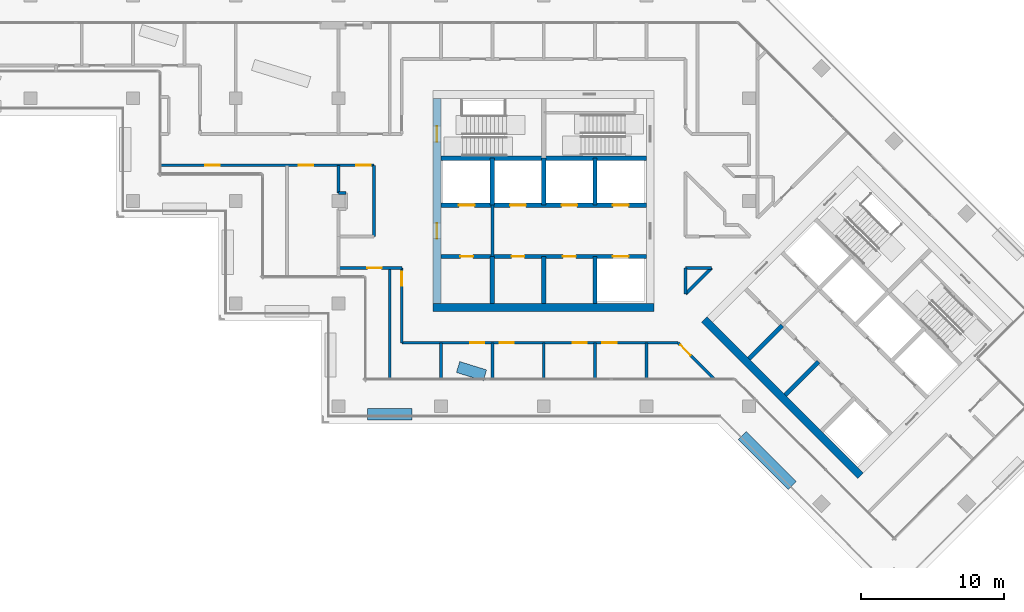
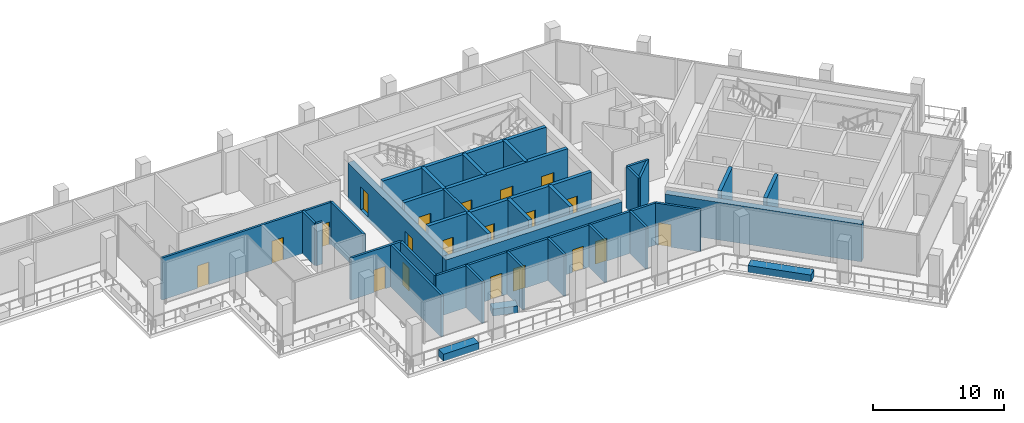
# One storey, part 9 of 19: 36 walls, 20 doors, 20 openings.
"""IFC4 building model written with IfcOpenShell, lengths in metres."""

from ifc_helpers import new_model, si_unit, direction, frame, frame_2d, origin, place, context, subcontext, project, spatial, rectangle, extrude, material, layer, layer_set, type_object, element, fill, save


model = new_model("IFC4")

# Units and contexts
model_context = context("Model", 3, precision=1e-05, world=origin(), true_north=direction((0.0, 1.0)))
body_context = subcontext(model_context, "Body", "Model", "MODEL_VIEW")
ifc_project = project(units=[si_unit("LENGTHUNIT", "METRE"), si_unit("AREAUNIT", "SQUARE_METRE"), si_unit("VOLUMEUNIT", "CUBIC_METRE"), si_unit("PLANEANGLEUNIT", "RADIAN"), si_unit("MASSUNIT", "GRAM", prefix="KILO")], contexts=[model_context])

# Site, building, storey
site_placement = place(None, origin())
site = spatial("IfcSite", under=ifc_project, at=site_placement, CompositionType="ELEMENT")
building_placement = place(site_placement, origin())
building = spatial("IfcBuilding", under=site, at=building_placement, Name="Windrow Commons", CompositionType="ELEMENT")
storey_placement = place(building_placement, frame((0.0, 0.0, 185.4)))
storey = spatial("IfcBuildingStorey", under=building, at=storey_placement, Name="L50", CompositionType="ELEMENT", Elevation=185.4)

# Wall
ifc_material_1 = material(Name="Blockwork partition", Category="masonry")
ifc_layer_1 = layer(ifc_material_1, 0.2)
ifc_layer_set_1 = layer_set([ifc_layer_1], Name="Fire lobby partition 200")
wall_type_1 = type_object("IfcWallType", Name="Fire lobby partition 200", PredefinedType="PARTITIONING", material=ifc_layer_set_1)
wall_1_placement = place(storey_placement, frame((61.2, 53.7, 0.0), z_axis=(0.0, 0.0, 1.0), x_axis=(0.0, 1.0, 0.0)))
element("IfcWall", 1, at=wall_1_placement, inside=storey, type_object=wall_type_1, Name="W-core-lobby-A-L50", PredefinedType="PARTITIONING", context=body_context, shape_type="SweptSolid", body=[
    extrude(rectangle(XDim=3.6, YDim=0.2, at=frame_2d((1.8, 0.0))), origin(), (0.0, 0.0, 1.0), 3.9),
])

# Wall, openings, doors
ifc_material_2 = material(Name="Blockwork partition", Category="masonry")
ifc_layer_2 = layer(ifc_material_2, 0.2)
ifc_layer_set_2 = layer_set([ifc_layer_2], Name="IW-CORRIDOR-200")
wall_type_2 = type_object("IfcWallType", Name="IW-CORRIDOR-200", PredefinedType="PARTITIONING", material=ifc_layer_set_2)
wall_2_placement = place(storey_placement, frame((54.85, 47.65, 0.0), z_axis=(0.0, 0.0, 1.0), x_axis=(1.0, 0.0, 0.0)))
wall_2 = element("IfcWall", 2, at=wall_2_placement, inside=storey, type_object=wall_type_2, Name="W-L50-W001", PredefinedType="PARTITIONING", context=body_context, shape_type="SweptSolid", body=[
    extrude(rectangle(XDim=19.354, YDim=0.2, at=frame_2d((9.677, 0.0))), origin(), (0.0, 0.0, 1.0), 3.9),
])
opening_1_placement = place(wall_2_placement, frame((4.7825, 0.0, 0.0)))
opening_1 = element("IfcOpeningElement", 3, at=opening_1_placement, cuts=wall_2, Name="Opening D310F", PredefinedType="OPENING", context=body_context, shape_type="SweptSolid", body=[
    extrude(rectangle(XDim=1.0, YDim=2.1, at=frame_2d((0.5, 1.05))), frame((0.0, 0.11, 0.0), z_axis=(0.0, -1.0, 0.0), x_axis=(1.0, 0.0, 0.0)), (0.0, 0.0, 1.0), 0.22),
])
opening_2_placement = place(wall_2_placement, frame((6.8575, 0.0, 0.0)))
opening_2 = element("IfcOpeningElement", 4, at=opening_2_placement, cuts=wall_2, Name="Opening D310F", PredefinedType="OPENING", context=body_context, shape_type="SweptSolid", body=[
    extrude(rectangle(XDim=1.0, YDim=2.1, at=frame_2d((0.5, 1.05))), frame((0.0, 0.11, 0.0), z_axis=(0.0, -1.0, 0.0), x_axis=(1.0, 0.0, 0.0)), (0.0, 0.0, 1.0), 0.22),
])
opening_3_placement = place(wall_2_placement, frame((11.9825, 0.0, 0.0)))
opening_3 = element("IfcOpeningElement", 5, at=opening_3_placement, cuts=wall_2, Name="Opening D310F", PredefinedType="OPENING", context=body_context, shape_type="SweptSolid", body=[
    extrude(rectangle(XDim=1.0, YDim=2.1, at=frame_2d((0.5, 1.05))), frame((0.0, 0.11, 0.0), z_axis=(0.0, -1.0, 0.0), x_axis=(1.0, 0.0, 0.0)), (0.0, 0.0, 1.0), 0.22),
])
opening_4_placement = place(wall_2_placement, frame((14.0575, 0.0, 0.0)))
opening_4 = element("IfcOpeningElement", 6, at=opening_4_placement, cuts=wall_2, Name="Opening D310F", PredefinedType="OPENING", context=body_context, shape_type="SweptSolid", body=[
    extrude(rectangle(XDim=1.0, YDim=2.1, at=frame_2d((0.5, 1.05))), frame((0.0, 0.11, 0.0), z_axis=(0.0, -1.0, 0.0), x_axis=(1.0, 0.0, 0.0)), (0.0, 0.0, 1.0), 0.22),
])
ifc_material_3 = material(Name="Timber door leaf", Category="wood")
door_type_1 = type_object("IfcDoorType", Name="DT-AMENITY-1000", OperationType="SINGLE_SWING_LEFT", PredefinedType="DOOR", material=ifc_material_3)
door_1_placement = place(opening_1_placement, origin())
door_1 = element("IfcDoor", 7, at=door_1_placement, inside=storey, type_object=door_type_1, Name="D-L50-D005", OperationType="SINGLE_SWING_LEFT", OverallHeight=2.1, OverallWidth=1.0, PredefinedType="DOOR", context=body_context, shape_type="SweptSolid", body=[
    extrude(rectangle(XDim=1.0, YDim=2.1, at=frame_2d((0.5, 1.05))), frame((0.0, 0.025, 0.0), z_axis=(0.0, -1.0, 0.0), x_axis=(1.0, 0.0, 0.0)), (0.0, 0.0, 1.0), 0.05),
])
fill(opening_1, door_1)
door_2_placement = place(opening_2_placement, origin())
door_2 = element("IfcDoor", 8, at=door_2_placement, inside=storey, type_object=door_type_1, Name="D-L50-D006", OperationType="SINGLE_SWING_RIGHT", OverallHeight=2.1, OverallWidth=1.0, PredefinedType="DOOR", context=body_context, shape_type="SweptSolid", body=[
    extrude(rectangle(XDim=1.0, YDim=2.1, at=frame_2d((0.5, 1.05))), frame((0.0, 0.025, 0.0), z_axis=(0.0, -1.0, 0.0), x_axis=(1.0, 0.0, 0.0)), (0.0, 0.0, 1.0), 0.05),
])
fill(opening_2, door_2)
door_3_placement = place(opening_3_placement, origin())
door_3 = element("IfcDoor", 9, at=door_3_placement, inside=storey, type_object=door_type_1, Name="D-L50-D007", OperationType="SINGLE_SWING_LEFT", OverallHeight=2.1, OverallWidth=1.0, PredefinedType="DOOR", context=body_context, shape_type="SweptSolid", body=[
    extrude(rectangle(XDim=1.0, YDim=2.1, at=frame_2d((0.5, 1.05))), frame((0.0, 0.025, 0.0), z_axis=(0.0, -1.0, 0.0), x_axis=(1.0, 0.0, 0.0)), (0.0, 0.0, 1.0), 0.05),
])
fill(opening_3, door_3)
door_4_placement = place(opening_4_placement, origin())
door_4 = element("IfcDoor", 10, at=door_4_placement, inside=storey, type_object=door_type_1, Name="D-L50-D008", OperationType="SINGLE_SWING_RIGHT", OverallHeight=2.1, OverallWidth=1.0, PredefinedType="DOOR", context=body_context, shape_type="SweptSolid", body=[
    extrude(rectangle(XDim=1.0, YDim=2.1, at=frame_2d((0.5, 1.05))), frame((0.0, 0.025, 0.0), z_axis=(0.0, -1.0, 0.0), x_axis=(1.0, 0.0, 0.0)), (0.0, 0.0, 1.0), 0.05),
])
fill(opening_4, door_4)

wall_3_placement = place(storey_placement, frame((37.93, 60.1, 0.0), z_axis=(0.0, 0.0, 1.0), x_axis=(1.0, 0.0, 0.0)))
wall_3 = element("IfcWall", 11, at=wall_3_placement, inside=storey, type_object=wall_type_2, Name="W-L50-W002", PredefinedType="PARTITIONING", context=body_context, shape_type="SweptSolid", body=[
    extrude(rectangle(XDim=14.97, YDim=0.2, at=frame_2d((7.485, 0.0))), origin(), (0.0, 0.0, 1.0), 3.9),
])
opening_5_placement = place(wall_3_placement, frame((3.1392, 0.0, 0.0)))
opening_5 = element("IfcOpeningElement", 12, at=opening_5_placement, cuts=wall_3, Name="Opening D310F", PredefinedType="OPENING", context=body_context, shape_type="SweptSolid", body=[
    extrude(rectangle(XDim=1.0, YDim=2.1, at=frame_2d((0.5, 1.05))), frame((0.0, 0.11, 0.0), z_axis=(0.0, -1.0, 0.0), x_axis=(1.0, 0.0, 0.0)), (0.0, 0.0, 1.0), 0.22),
])
opening_6_placement = place(wall_3_placement, frame((9.705, 0.0, 0.0)))
opening_6 = element("IfcOpeningElement", 13, at=opening_6_placement, cuts=wall_3, Name="Opening D310F", PredefinedType="OPENING", context=body_context, shape_type="SweptSolid", body=[
    extrude(rectangle(XDim=1.0, YDim=2.1, at=frame_2d((0.5, 1.05))), frame((0.0, 0.11, 0.0), z_axis=(0.0, -1.0, 0.0), x_axis=(1.0, 0.0, 0.0)), (0.0, 0.0, 1.0), 0.22),
])
opening_7_placement = place(wall_3_placement, frame((13.7244, 0.0, 0.0)))
opening_7 = element("IfcOpeningElement", 14, at=opening_7_placement, cuts=wall_3, Name="Opening D410F", PredefinedType="OPENING", context=body_context, shape_type="SweptSolid", body=[
    extrude(rectangle(XDim=1.0, YDim=2.1, at=frame_2d((0.5, 1.05))), frame((0.0, 0.11, 0.0), z_axis=(0.0, -1.0, 0.0), x_axis=(1.0, 0.0, 0.0)), (0.0, 0.0, 1.0), 0.22),
])
door_5_placement = place(opening_5_placement, origin())
door_5 = element("IfcDoor", 15, at=door_5_placement, inside=storey, type_object=door_type_1, Name="D-L50-D000", OperationType="SINGLE_SWING_RIGHT", OverallHeight=2.1, OverallWidth=1.0, PredefinedType="DOOR", context=body_context, shape_type="SweptSolid", body=[
    extrude(rectangle(XDim=1.0, YDim=2.1, at=frame_2d((0.5, 1.05))), frame((0.0, 0.025, 0.0), z_axis=(0.0, -1.0, 0.0), x_axis=(1.0, 0.0, 0.0)), (0.0, 0.0, 1.0), 0.05),
])
fill(opening_5, door_5)
door_6_placement = place(opening_6_placement, origin())
door_6 = element("IfcDoor", 16, at=door_6_placement, inside=storey, type_object=door_type_1, Name="D-L50-D001", OperationType="SINGLE_SWING_RIGHT", OverallHeight=2.1, OverallWidth=1.0, PredefinedType="DOOR", context=body_context, shape_type="SweptSolid", body=[
    extrude(rectangle(XDim=1.0, YDim=2.1, at=frame_2d((0.5, 1.05))), frame((0.0, 0.025, 0.0), z_axis=(0.0, -1.0, 0.0), x_axis=(1.0, 0.0, 0.0)), (0.0, 0.0, 1.0), 0.05),
])
fill(opening_6, door_6)
ifc_material_4 = material(Name="Timber door leaf", Category="wood")
door_type_2 = type_object("IfcDoorType", Name="DT-SERVICE-1000", OperationType="SINGLE_SWING_LEFT", PredefinedType="DOOR", material=ifc_material_4)
door_7_placement = place(opening_7_placement, origin())
door_7 = element("IfcDoor", 17, at=door_7_placement, inside=storey, type_object=door_type_2, Name="D-L50-D002", OperationType="SINGLE_SWING_LEFT", OverallHeight=2.1, OverallWidth=1.0, PredefinedType="DOOR", context=body_context, shape_type="SweptSolid", body=[
    extrude(rectangle(XDim=1.0, YDim=2.1, at=frame_2d((0.5, 1.05))), frame((0.0, 0.025, 0.0), z_axis=(0.0, -1.0, 0.0), x_axis=(1.0, 0.0, 0.0)), (0.0, 0.0, 1.0), 0.05),
])
fill(opening_7, door_7)

# Wall, opening, door
wall_4_placement = place(storey_placement, frame((54.85, 47.65, 0.0), z_axis=(0.0, 0.0, 1.0), x_axis=(0.0, 1.0, 0.0)))
wall_4 = element("IfcWall", 18, at=wall_4_placement, inside=storey, type_object=wall_type_2, Name="W-L50-W013", PredefinedType="PARTITIONING", context=body_context, shape_type="SweptSolid", body=[
    extrude(rectangle(XDim=5.25, YDim=0.2, at=frame_2d((2.625, 0.0))), origin(), (0.0, 0.0, 1.0), 3.9),
])
opening_8_placement = place(wall_4_placement, frame((3.9896, 0.0, 0.0)))
opening_8 = element("IfcOpeningElement", 19, at=opening_8_placement, cuts=wall_4, Name="Opening D310F", PredefinedType="OPENING", context=body_context, shape_type="SweptSolid", body=[
    extrude(rectangle(XDim=1.0, YDim=2.1, at=frame_2d((0.5, 1.05))), frame((0.0, 0.11, 0.0), z_axis=(0.0, -1.0, 0.0), x_axis=(1.0, 0.0, 0.0)), (0.0, 0.0, 1.0), 0.22),
])
door_8_placement = place(opening_8_placement, origin())
door_8 = element("IfcDoor", 20, at=door_8_placement, inside=storey, type_object=door_type_1, Name="D-L50-D004", OperationType="SINGLE_SWING_RIGHT", OverallHeight=2.1, OverallWidth=1.0, PredefinedType="DOOR", context=body_context, shape_type="SweptSolid", body=[
    extrude(rectangle(XDim=1.0, YDim=2.1, at=frame_2d((0.5, 1.05))), frame((0.0, 0.025, 0.0), z_axis=(0.0, -1.0, 0.0), x_axis=(1.0, 0.0, 0.0)), (0.0, 0.0, 1.0), 0.05),
])
fill(opening_8, door_8)

# Wall
wall_5_placement = place(storey_placement, frame((52.9, 55.102, 0.0), z_axis=(0.0, 0.0, 1.0), x_axis=(0.0, 1.0, 0.0)))
element("IfcWall", 21, at=wall_5_placement, inside=storey, type_object=wall_type_2, Name="W-L50-W015", PredefinedType="PARTITIONING", context=body_context, shape_type="SweptSolid", body=[
    extrude(rectangle(XDim=4.998, YDim=0.2, at=frame_2d((2.499, 0.0))), origin(), (0.0, 0.0, 1.0), 3.9),
])

# Wall, opening, door
wall_6_placement = place(storey_placement, frame((50.4, 52.9, 0.0), z_axis=(0.0, 0.0, 1.0), x_axis=(1.0, 0.0, 0.0)))
wall_6 = element("IfcWall", 22, at=wall_6_placement, inside=storey, type_object=wall_type_2, Name="W-L50-W022", PredefinedType="PARTITIONING", context=body_context, shape_type="SweptSolid", body=[
    extrude(rectangle(XDim=4.45, YDim=0.2, at=frame_2d((2.225, 0.0))), origin(), (0.0, 0.0, 1.0), 3.9),
])
opening_9_placement = place(wall_6_placement, frame((2.0325, 0.0, 0.0)))
opening_9 = element("IfcOpeningElement", 23, at=opening_9_placement, cuts=wall_6, Name="Opening D310F", PredefinedType="OPENING", context=body_context, shape_type="SweptSolid", body=[
    extrude(rectangle(XDim=1.0, YDim=2.1, at=frame_2d((0.5, 1.05))), frame((0.0, 0.11, 0.0), z_axis=(0.0, -1.0, 0.0), x_axis=(1.0, 0.0, 0.0)), (0.0, 0.0, 1.0), 0.22),
])
door_9_placement = place(opening_9_placement, origin())
door_9 = element("IfcDoor", 24, at=door_9_placement, inside=storey, type_object=door_type_1, Name="D-L50-D003", OperationType="SINGLE_SWING_LEFT", OverallHeight=2.1, OverallWidth=1.0, PredefinedType="DOOR", context=body_context, shape_type="SweptSolid", body=[
    extrude(rectangle(XDim=1.0, YDim=2.1, at=frame_2d((0.5, 1.05))), frame((0.0, 0.025, 0.0), z_axis=(0.0, -1.0, 0.0), x_axis=(1.0, 0.0, 0.0)), (0.0, 0.0, 1.0), 0.05),
])
fill(opening_9, door_9)

wall_7_placement = place(storey_placement, frame((74.2094, 47.6534, 0.0), z_axis=(0.0, 0.0, 1.0), x_axis=(0.7071067812, -0.7071067812, 0.0)))
wall_7 = element("IfcWall", 25, at=wall_7_placement, inside=storey, type_object=wall_type_2, Name="W-L50-W024", PredefinedType="PARTITIONING", context=body_context, shape_type="SweptSolid", body=[
    extrude(rectangle(XDim=3.5638, YDim=0.2, at=frame_2d((1.7819, 0.0))), origin(), (0.0, 0.0, 1.0), 3.9),
])
opening_10_placement = place(wall_7_placement, frame((0.2477, 0.0, 0.0)))
opening_10 = element("IfcOpeningElement", 26, at=opening_10_placement, cuts=wall_7, Name="Opening D310F", PredefinedType="OPENING", context=body_context, shape_type="SweptSolid", body=[
    extrude(rectangle(XDim=1.0, YDim=2.1, at=frame_2d((0.5, 1.05))), frame((0.0, 0.11, 0.0), z_axis=(0.0, -1.0, 0.0), x_axis=(1.0, 0.0, 0.0)), (0.0, 0.0, 1.0), 0.22),
])
door_10_placement = place(opening_10_placement, origin())
door_10 = element("IfcDoor", 27, at=door_10_placement, inside=storey, type_object=door_type_1, Name="D-L50-D009", OperationType="SINGLE_SWING_LEFT", OverallHeight=2.1, OverallWidth=1.0, PredefinedType="DOOR", context=body_context, shape_type="SweptSolid", body=[
    extrude(rectangle(XDim=1.0, YDim=2.1, at=frame_2d((0.5, 1.05))), frame((0.0, 0.025, 0.0), z_axis=(0.0, -1.0, 0.0), x_axis=(1.0, 0.0, 0.0)), (0.0, 0.0, 1.0), 0.05),
])
fill(opening_10, door_10)

# Walls
wall_8_placement = place(storey_placement, frame((74.751, 51.077, 0.0), z_axis=(0.0, 0.0, 1.0), x_axis=(0.7071067812, 0.7071067812, 0.0)))
element("IfcWall", 28, at=wall_8_placement, inside=storey, type_object=wall_type_2, Name="W-L50-W031", PredefinedType="PARTITIONING", context=body_context, shape_type="SweptSolid", body=[
    extrude(rectangle(XDim=2.5767, YDim=0.2, at=frame_2d((1.2884, 0.0))), origin(), (0.0, 0.0, 1.0), 3.9),
])
wall_9_placement = place(storey_placement, frame((74.75, 51.076, 0.0), z_axis=(0.0, 0.0, 1.0), x_axis=(0.0, 1.0, 0.0)))
element("IfcWall", 29, at=wall_9_placement, inside=storey, type_object=wall_type_2, Name="W-L50-W051", PredefinedType="PARTITIONING", context=body_context, shape_type="SweptSolid", body=[
    extrude(rectangle(XDim=1.824, YDim=0.2, at=frame_2d((0.912, 0.0))), origin(), (0.0, 0.0, 1.0), 3.9),
])
wall_10_placement = place(storey_placement, frame((74.752, 52.9, 0.0), z_axis=(0.0, 0.0, 1.0), x_axis=(1.0, 0.0, 0.0)))
element("IfcWall", 30, at=wall_10_placement, inside=storey, type_object=wall_type_2, Name="W-L50-W052", PredefinedType="PARTITIONING", context=body_context, shape_type="SweptSolid", body=[
    extrude(rectangle(XDim=1.822, YDim=0.2, at=frame_2d((0.911, 0.0))), origin(), (0.0, 0.0, 1.0), 3.9),
])
ifc_material_5 = material(Name="Blockwork partition", Category="masonry")
ifc_layer_3 = layer(ifc_material_5, 0.2)
ifc_layer_set_3 = layer_set([ifc_layer_3], Name="IW-PARTY-200")
wall_type_3 = type_object("IfcWallType", Name="IW-PARTY-200", PredefinedType="PARTITIONING", material=ifc_layer_set_3)
wall_11_placement = place(storey_placement, frame((54.0, 45.13, 0.0), z_axis=(0.0, 0.0, 1.0), x_axis=(0.0, 1.0, 0.0)))
element("IfcWall", 31, at=wall_11_placement, inside=storey, type_object=wall_type_3, Name="W-L50-W007", PredefinedType="PARTITIONING", context=body_context, shape_type="SweptSolid", body=[
    extrude(rectangle(XDim=7.77, YDim=0.2, at=frame_2d((3.885, 0.0))), origin(), (0.0, 0.0, 1.0), 3.9),
])
for number, where, z_axis, x_axis, name in (
    (32, (57.6, 45.13, 0.0), (0.0, 0.0, 1.0), (0.0, 1.0, 0.0), "W-L50-W032"),
    (33, (61.2, 45.13, 0.0), (0.0, 0.0, 1.0), (0.0, 1.0, 0.0), "W-L50-W034"),
    (34, (64.8, 45.13, 0.0), (0.0, 0.0, 1.0), (0.0, 1.0, 0.0), "W-L50-W036"),
    (35, (68.4, 45.13, 0.0), (0.0, 0.0, 1.0), (0.0, 1.0, 0.0), "W-L50-W038"),
    (36, (72.0, 45.13, 0.0), (0.0, 0.0, 1.0), (0.0, 1.0, 0.0), "W-L50-W040"),
):
    element("IfcWall", number, at=place(storey_placement, frame(where, z_axis=z_axis, x_axis=x_axis)), inside=storey, type_object=wall_type_3, Name=name, PredefinedType="PARTITIONING", context=body_context, shape_type="SweptSolid", body=[
        extrude(rectangle(XDim=2.52, YDim=0.2, at=frame_2d((1.26, 0.0))), origin(), (0.0, 0.0, 1.0), 3.9),
    ])
wall_12_placement = place(storey_placement, frame((50.4, 58.156, 0.0), z_axis=(0.0, 0.0, 1.0), x_axis=(0.0, 1.0, 0.0)))
element("IfcWall", 37, at=wall_12_placement, inside=storey, type_object=wall_type_3, Name="W-L50-W049", PredefinedType="PARTITIONING", context=body_context, shape_type="SweptSolid", body=[
    extrude(rectangle(XDim=1.944, YDim=0.2, at=frame_2d((0.972, 0.0))), origin(), (0.0, 0.0, 1.0), 3.9),
])
wall_13_placement = place(storey_placement, frame((50.4, 58.16, 0.0), z_axis=(0.0, 0.0, 1.0), x_axis=(1.0, 0.0, 0.0)))
element("IfcWall", 38, at=wall_13_placement, inside=storey, type_object=wall_type_3, Name="W-L50-W070", PredefinedType="PARTITIONING", context=body_context, shape_type="SweptSolid", body=[
    extrude(rectangle(XDim=0.55, YDim=0.2, at=frame_2d((0.275, 0.0))), origin(), (0.0, 0.0, 1.0), 3.9),
])
ifc_material_6 = material(Name="Concrete C30/37 planter wall", Category="concrete")
ifc_layer_4 = layer(ifc_material_6, 0.8)
ifc_layer_set_4 = layer_set([ifc_layer_4], Name="Planter 800x600")
wall_type_4 = type_object("IfcWallType", Name="Planter 800x600", PredefinedType="SOLIDWALL", material=ifc_layer_set_4)
wall_14_placement = place(storey_placement, frame((52.45, 42.65, 0.0), z_axis=(0.0, 0.0, 1.0), x_axis=(1.0, 0.0, 0.0)))
element("IfcWall", 39, at=wall_14_placement, inside=storey, type_object=wall_type_4, Name="PLANTER TR-L50-1.14", PredefinedType="SOLIDWALL", context=body_context, shape_type="SweptSolid", body=[
    extrude(rectangle(XDim=3.1, YDim=0.8, at=frame_2d((1.55, 0.0))), origin(), (0.0, 0.0, 1.0), 0.65),
])
wall_15_placement = place(storey_placement, frame((78.7251, 41.15, 0.0), z_axis=(0.0, 0.0, 1.0), x_axis=(0.7071067812, -0.7071067812, 0.0)))
element("IfcWall", 40, at=wall_15_placement, inside=storey, type_object=wall_type_4, Name="PLANTER TR-L50-1.15", PredefinedType="SOLIDWALL", context=body_context, shape_type="SweptSolid", body=[
    extrude(rectangle(XDim=4.9725, YDim=0.8, at=frame_2d((2.4863, 0.0))), origin(), (0.0, 0.0, 1.0), 0.65),
])
wall_16_placement = place(storey_placement, frame((60.68, 45.3673, 0.0), z_axis=(0.0, 0.0, 1.0), x_axis=(-0.9553537272, 0.2954644747, 0.0)))
element("IfcWall", 41, at=wall_16_placement, inside=storey, type_object=wall_type_4, Name="PLANTER TR-L50-1 bed 15", PredefinedType="SOLIDWALL", context=body_context, shape_type="SweptSolid", body=[
    extrude(rectangle(XDim=1.9721, YDim=0.8, at=frame_2d((0.986, 0.0))), origin(), (0.0, 0.0, 1.0), 0.65),
])
ifc_material_7 = material(Name="Concrete C50/60", Category="concrete")
ifc_layer_5 = layer(ifc_material_7, 0.55)
ifc_layer_set_5 = layer_set([ifc_layer_5], Name="RC CORE WALL 550 C50/60")
wall_type_5 = type_object("IfcWallType", Name="RC CORE WALL 550 C50/60", PredefinedType="SHEAR", material=ifc_layer_set_5)
wall_17_placement = place(storey_placement, frame((57.05, 50.125, -0.3), z_axis=(0.0, 0.0, 1.0), x_axis=(1.0, 0.0, 0.0)))
element("IfcWall", 42, at=wall_17_placement, inside=storey, type_object=wall_type_5, Name="Core A wall outer-S", PredefinedType="SHEAR", context=body_context, shape_type="SweptSolid", body=[
    extrude(rectangle(XDim=15.5, YDim=0.55, at=frame_2d((7.75, 0.0))), origin(), (0.0, 0.0, 1.0), 3.5),
])

# Wall, openings, doors
wall_18_placement = place(storey_placement, frame((57.325, 50.4, -0.3), z_axis=(0.0, 0.0, 1.0), x_axis=(0.0, 1.0, 0.0)))
wall_18 = element("IfcWall", 43, at=wall_18_placement, inside=storey, type_object=wall_type_5, Name="Core A wall outer-W", PredefinedType="SHEAR", context=body_context, shape_type="SweptSolid", body=[
    extrude(rectangle(XDim=14.4, YDim=0.55, at=frame_2d((7.2, 0.0))), origin(), (0.0, 0.0, 1.0), 3.5),
])
opening_11_placement = place(wall_18_placement, frame((4.55, 0.0, 0.3)))
opening_11 = element("IfcOpeningElement", 44, at=opening_11_placement, cuts=wall_18, Name="Opening D6", PredefinedType="OPENING", context=body_context, shape_type="SweptSolid", body=[
    extrude(rectangle(XDim=1.1, YDim=2.1, at=frame_2d((0.55, 1.05))), frame((0.0, 0.285, 0.0), z_axis=(0.0, -1.0, 0.0), x_axis=(1.0, 0.0, 0.0)), (0.0, 0.0, 1.0), 0.57),
])
opening_12_placement = place(wall_18_placement, frame((11.35, 0.0, 0.3)))
opening_12 = element("IfcOpeningElement", 45, at=opening_12_placement, cuts=wall_18, Name="Opening D7", PredefinedType="OPENING", context=body_context, shape_type="SweptSolid", body=[
    extrude(rectangle(XDim=1.1, YDim=2.1, at=frame_2d((0.55, 1.05))), frame((0.0, 0.285, 0.0), z_axis=(0.0, -1.0, 0.0), x_axis=(1.0, 0.0, 0.0)), (0.0, 0.0, 1.0), 0.57),
])
ifc_material_8 = material(Name="Steel fire door leaf", Category="steel")
door_type_3 = type_object("IfcDoorType", Name="Core lobby door 1100", OperationType="SINGLE_SWING_LEFT", PredefinedType="DOOR", material=ifc_material_8)
door_11_placement = place(opening_11_placement, origin())
door_11 = element("IfcDoor", 46, at=door_11_placement, inside=storey, type_object=door_type_3, Name="Lift lobby door", OperationType="DOUBLE_DOOR_SINGLE_SWING", OverallHeight=2.1, OverallWidth=1.1, PredefinedType="DOOR", context=body_context, shape_type="SweptSolid", body=[
    extrude(rectangle(XDim=1.1, YDim=2.1, at=frame_2d((0.55, 1.05))), frame((0.0, 0.025, 0.0), z_axis=(0.0, -1.0, 0.0), x_axis=(1.0, 0.0, 0.0)), (0.0, 0.0, 1.0), 0.05),
])
fill(opening_11, door_11)
ifc_material_9 = material(Name="Steel fire door leaf", Category="steel")
door_type_4 = type_object("IfcDoorType", Name="Stair door 1100", OperationType="SINGLE_SWING_LEFT", PredefinedType="DOOR", material=ifc_material_9)
door_12_placement = place(opening_12_placement, origin())
door_12 = element("IfcDoor", 47, at=door_12_placement, inside=storey, type_object=door_type_4, Name="Stair door", OperationType="SINGLE_SWING_LEFT", OverallHeight=2.1, OverallWidth=1.1, PredefinedType="DOOR", context=body_context, shape_type="SweptSolid", body=[
    extrude(rectangle(XDim=1.1, YDim=2.1, at=frame_2d((0.55, 1.05))), frame((0.0, 0.025, 0.0), z_axis=(0.0, -1.0, 0.0), x_axis=(1.0, 0.0, 0.0)), (0.0, 0.0, 1.0), 0.05),
])
fill(opening_12, door_12)

# Walls
wall_19_placement = place(storey_placement, frame((76.0711, 49.2842, -0.3), z_axis=(0.0, 0.0, 1.0), x_axis=(0.7071035554, -0.707110007, 0.0)))
element("IfcWall", 48, at=wall_19_placement, inside=storey, type_object=wall_type_5, Name="Core B wall outer-S", PredefinedType="SHEAR", context=body_context, shape_type="SweptSolid", body=[
    extrude(rectangle(XDim=15.5, YDim=0.55, at=frame_2d((7.75, 0.0))), origin(), (0.0, 0.0, 1.0), 3.5),
])
ifc_material_10 = material(Name="Concrete C50/60", Category="concrete")
ifc_layer_6 = layer(ifc_material_10, 0.3)
ifc_layer_set_6 = layer_set([ifc_layer_6], Name="RC SHAFT WALL 300 C50/60")
wall_type_6 = type_object("IfcWallType", Name="RC SHAFT WALL 300 C50/60", PredefinedType="SOLIDWALL", material=ifc_layer_set_6)
for number, where, z_axis, x_axis, name in (
    (49, (61.2, 50.4, 0.0), (0.0, 0.0, 1.0), (0.0, 1.0, 0.0), "Core A wall shaft-S1"),
    (50, (61.2, 57.3, 0.0), (0.0, 0.0, 1.0), (0.0, 1.0, 0.0), "Core A wall shaft-N1"),
    (51, (64.8, 50.4, 0.0), (0.0, 0.0, 1.0), (0.0, 1.0, 0.0), "Core A wall shaft-S2"),
    (52, (64.8, 57.3, 0.0), (0.0, 0.0, 1.0), (0.0, 1.0, 0.0), "Core A wall shaft-N2"),
    (53, (68.4, 50.4, 0.0), (0.0, 0.0, 1.0), (0.0, 1.0, 0.0), "Core A wall shaft-S3"),
    (54, (68.4, 57.3, 0.0), (0.0, 0.0, 1.0), (0.0, 1.0, 0.0), "Core A wall shaft-N3"),
):
    element("IfcWall", number, at=place(storey_placement, frame(where, z_axis=z_axis, x_axis=x_axis)), inside=storey, type_object=wall_type_6, Name=name, PredefinedType="SOLIDWALL", context=body_context, shape_type="SweptSolid", body=[
        extrude(rectangle(XDim=3.3, YDim=0.3, at=frame_2d((1.65, 0.0))), origin(), (0.0, 0.0, 1.0), 3.9),
    ])

# Wall, openings, doors
wall_20_placement = place(storey_placement, frame((57.6, 53.7, 0.0), z_axis=(0.0, 0.0, 1.0), x_axis=(1.0, 0.0, 0.0)))
wall_20 = element("IfcWall", 55, at=wall_20_placement, inside=storey, type_object=wall_type_6, Name="Core A wall lobby-S", PredefinedType="SOLIDWALL", context=body_context, shape_type="SweptSolid", body=[
    extrude(rectangle(XDim=14.4, YDim=0.3, at=frame_2d((7.2, 0.0))), origin(), (0.0, 0.0, 1.0), 3.9),
])
opening_13_placement = place(wall_20_placement, frame((1.35, 0.0, 0.0)))
opening_13 = element("IfcOpeningElement", 56, at=opening_13_placement, cuts=wall_20, Name="Opening D8", PredefinedType="OPENING", context=body_context, shape_type="SweptSolid", body=[
    extrude(rectangle(XDim=0.9, YDim=2.1, at=frame_2d((0.45, 1.05))), frame((0.0, 0.16, 0.0), z_axis=(0.0, -1.0, 0.0), x_axis=(1.0, 0.0, 0.0)), (0.0, 0.0, 1.0), 0.32),
])
opening_14_placement = place(wall_20_placement, frame((4.95, 0.0, 0.0)))
opening_14 = element("IfcOpeningElement", 57, at=opening_14_placement, cuts=wall_20, Name="Opening D8", PredefinedType="OPENING", context=body_context, shape_type="SweptSolid", body=[
    extrude(rectangle(XDim=0.9, YDim=2.1, at=frame_2d((0.45, 1.05))), frame((0.0, 0.16, 0.0), z_axis=(0.0, -1.0, 0.0), x_axis=(1.0, 0.0, 0.0)), (0.0, 0.0, 1.0), 0.32),
])
opening_15_placement = place(wall_20_placement, frame((8.55, 0.0, 0.0)))
opening_15 = element("IfcOpeningElement", 58, at=opening_15_placement, cuts=wall_20, Name="Opening D8", PredefinedType="OPENING", context=body_context, shape_type="SweptSolid", body=[
    extrude(rectangle(XDim=0.9, YDim=2.1, at=frame_2d((0.45, 1.05))), frame((0.0, 0.16, 0.0), z_axis=(0.0, -1.0, 0.0), x_axis=(1.0, 0.0, 0.0)), (0.0, 0.0, 1.0), 0.32),
])
opening_16_placement = place(wall_20_placement, frame((12.05, 0.0, 0.0)))
opening_16 = element("IfcOpeningElement", 59, at=opening_16_placement, cuts=wall_20, Name="Opening LD", PredefinedType="OPENING", context=body_context, shape_type="SweptSolid", body=[
    extrude(rectangle(XDim=1.1, YDim=2.1, at=frame_2d((0.55, 1.05))), frame((0.0, 0.16, 0.0), z_axis=(0.0, -1.0, 0.0), x_axis=(1.0, 0.0, 0.0)), (0.0, 0.0, 1.0), 0.32),
])
ifc_material_11 = material(Name="Steel fire door leaf", Category="steel")
door_type_5 = type_object("IfcDoorType", Name="Core store door 900", OperationType="SINGLE_SWING_LEFT", PredefinedType="DOOR", material=ifc_material_11)
door_13_placement = place(opening_13_placement, origin())
door_13 = element("IfcDoor", 60, at=door_13_placement, inside=storey, type_object=door_type_5, Name="Store door", OperationType="SINGLE_SWING_LEFT", OverallHeight=2.1, OverallWidth=0.9, PredefinedType="DOOR", context=body_context, shape_type="SweptSolid", body=[
    extrude(rectangle(XDim=0.9, YDim=2.1, at=frame_2d((0.45, 1.05))), frame((0.0, 0.025, 0.0), z_axis=(0.0, -1.0, 0.0), x_axis=(1.0, 0.0, 0.0)), (0.0, 0.0, 1.0), 0.05),
])
fill(opening_13, door_13)
door_14_placement = place(opening_14_placement, origin())
door_14 = element("IfcDoor", 61, at=door_14_placement, inside=storey, type_object=door_type_5, Name="Store door", OperationType="SINGLE_SWING_LEFT", OverallHeight=2.1, OverallWidth=0.9, PredefinedType="DOOR", context=body_context, shape_type="SweptSolid", body=[
    extrude(rectangle(XDim=0.9, YDim=2.1, at=frame_2d((0.45, 1.05))), frame((0.0, 0.025, 0.0), z_axis=(0.0, -1.0, 0.0), x_axis=(1.0, 0.0, 0.0)), (0.0, 0.0, 1.0), 0.05),
])
fill(opening_14, door_14)
door_15_placement = place(opening_15_placement, origin())
door_15 = element("IfcDoor", 62, at=door_15_placement, inside=storey, type_object=door_type_5, Name="Store door", OperationType="SINGLE_SWING_LEFT", OverallHeight=2.1, OverallWidth=0.9, PredefinedType="DOOR", context=body_context, shape_type="SweptSolid", body=[
    extrude(rectangle(XDim=0.9, YDim=2.1, at=frame_2d((0.45, 1.05))), frame((0.0, 0.025, 0.0), z_axis=(0.0, -1.0, 0.0), x_axis=(1.0, 0.0, 0.0)), (0.0, 0.0, 1.0), 0.05),
])
fill(opening_15, door_15)
ifc_material_12 = material(Name="Stainless steel door leaf", Category="steel")
door_type_6 = type_object("IfcDoorType", Name="Lift landing door 1100", OperationType="SLIDING_TO_LEFT", PredefinedType="DOOR", material=ifc_material_12)
door_16_placement = place(opening_16_placement, origin())
door_16 = element("IfcDoor", 63, at=door_16_placement, inside=storey, type_object=door_type_6, Name="Lift landing door", OperationType="SLIDING_TO_RIGHT", OverallHeight=2.1, OverallWidth=1.1, PredefinedType="DOOR", context=body_context, shape_type="SweptSolid", body=[
    extrude(rectangle(XDim=1.1, YDim=2.1, at=frame_2d((0.55, 1.05))), frame((0.0, 0.025, 0.0), z_axis=(0.0, -1.0, 0.0), x_axis=(1.0, 0.0, 0.0)), (0.0, 0.0, 1.0), 0.05),
])
fill(opening_16, door_16)

wall_21_placement = place(storey_placement, frame((57.6, 57.3, 0.0), z_axis=(0.0, 0.0, 1.0), x_axis=(1.0, 0.0, 0.0)))
wall_21 = element("IfcWall", 64, at=wall_21_placement, inside=storey, type_object=wall_type_6, Name="Core A wall lobby-N", PredefinedType="SOLIDWALL", context=body_context, shape_type="SweptSolid", body=[
    extrude(rectangle(XDim=14.4, YDim=0.3, at=frame_2d((7.2, 0.0))), origin(), (0.0, 0.0, 1.0), 3.9),
])
opening_17_placement = place(wall_21_placement, frame((1.25, 0.0, 0.0)))
opening_17 = element("IfcOpeningElement", 65, at=opening_17_placement, cuts=wall_21, Name="Opening LD", PredefinedType="OPENING", context=body_context, shape_type="SweptSolid", body=[
    extrude(rectangle(XDim=1.1, YDim=2.1, at=frame_2d((0.55, 1.05))), frame((0.0, 0.16, 0.0), z_axis=(0.0, -1.0, 0.0), x_axis=(1.0, 0.0, 0.0)), (0.0, 0.0, 1.0), 0.32),
])
opening_18_placement = place(wall_21_placement, frame((4.85, 0.0, 0.0)))
opening_18 = element("IfcOpeningElement", 66, at=opening_18_placement, cuts=wall_21, Name="Opening LD", PredefinedType="OPENING", context=body_context, shape_type="SweptSolid", body=[
    extrude(rectangle(XDim=1.1, YDim=2.1, at=frame_2d((0.55, 1.05))), frame((0.0, 0.16, 0.0), z_axis=(0.0, -1.0, 0.0), x_axis=(1.0, 0.0, 0.0)), (0.0, 0.0, 1.0), 0.32),
])
opening_19_placement = place(wall_21_placement, frame((8.45, 0.0, 0.0)))
opening_19 = element("IfcOpeningElement", 67, at=opening_19_placement, cuts=wall_21, Name="Opening LD", PredefinedType="OPENING", context=body_context, shape_type="SweptSolid", body=[
    extrude(rectangle(XDim=1.1, YDim=2.1, at=frame_2d((0.55, 1.05))), frame((0.0, 0.16, 0.0), z_axis=(0.0, -1.0, 0.0), x_axis=(1.0, 0.0, 0.0)), (0.0, 0.0, 1.0), 0.32),
])
opening_20_placement = place(wall_21_placement, frame((12.05, 0.0, 0.0)))
opening_20 = element("IfcOpeningElement", 68, at=opening_20_placement, cuts=wall_21, Name="Opening LD", PredefinedType="OPENING", context=body_context, shape_type="SweptSolid", body=[
    extrude(rectangle(XDim=1.1, YDim=2.1, at=frame_2d((0.55, 1.05))), frame((0.0, 0.16, 0.0), z_axis=(0.0, -1.0, 0.0), x_axis=(1.0, 0.0, 0.0)), (0.0, 0.0, 1.0), 0.32),
])
door_17_placement = place(opening_17_placement, origin())
door_17 = element("IfcDoor", 69, at=door_17_placement, inside=storey, type_object=door_type_6, Name="Lift landing door", OperationType="SLIDING_TO_LEFT", OverallHeight=2.1, OverallWidth=1.1, PredefinedType="DOOR", context=body_context, shape_type="SweptSolid", body=[
    extrude(rectangle(XDim=1.1, YDim=2.1, at=frame_2d((0.55, 1.05))), frame((0.0, 0.025, 0.0), z_axis=(0.0, -1.0, 0.0), x_axis=(1.0, 0.0, 0.0)), (0.0, 0.0, 1.0), 0.05),
])
fill(opening_17, door_17)
door_18_placement = place(opening_18_placement, origin())
door_18 = element("IfcDoor", 70, at=door_18_placement, inside=storey, type_object=door_type_6, Name="Lift landing door", OperationType="SLIDING_TO_RIGHT", OverallHeight=2.1, OverallWidth=1.1, PredefinedType="DOOR", context=body_context, shape_type="SweptSolid", body=[
    extrude(rectangle(XDim=1.1, YDim=2.1, at=frame_2d((0.55, 1.05))), frame((0.0, 0.025, 0.0), z_axis=(0.0, -1.0, 0.0), x_axis=(1.0, 0.0, 0.0)), (0.0, 0.0, 1.0), 0.05),
])
fill(opening_18, door_18)
door_19_placement = place(opening_19_placement, origin())
door_19 = element("IfcDoor", 71, at=door_19_placement, inside=storey, type_object=door_type_6, Name="Lift landing door", OperationType="SLIDING_TO_LEFT", OverallHeight=2.1, OverallWidth=1.1, PredefinedType="DOOR", context=body_context, shape_type="SweptSolid", body=[
    extrude(rectangle(XDim=1.1, YDim=2.1, at=frame_2d((0.55, 1.05))), frame((0.0, 0.025, 0.0), z_axis=(0.0, -1.0, 0.0), x_axis=(1.0, 0.0, 0.0)), (0.0, 0.0, 1.0), 0.05),
])
fill(opening_19, door_19)
door_20_placement = place(opening_20_placement, origin())
door_20 = element("IfcDoor", 72, at=door_20_placement, inside=storey, type_object=door_type_6, Name="Lift landing door", OperationType="SLIDING_TO_RIGHT", OverallHeight=2.1, OverallWidth=1.1, PredefinedType="DOOR", context=body_context, shape_type="SweptSolid", body=[
    extrude(rectangle(XDim=1.1, YDim=2.1, at=frame_2d((0.55, 1.05))), frame((0.0, 0.025, 0.0), z_axis=(0.0, -1.0, 0.0), x_axis=(1.0, 0.0, 0.0)), (0.0, 0.0, 1.0), 0.05),
])
fill(opening_20, door_20)

# Walls
for number, where, z_axis, x_axis, name in (
    (73, (57.6, 60.6, 0.0), (0.0, 0.0, 1.0), (1.0, 0.0, 0.0), "Core A wall stair-S"),
    (74, (64.8, 60.6, 0.0), (0.0, 0.0, 1.0), (1.0, 0.0, 0.0), "Core A wall stair-S2"),
):
    element("IfcWall", number, at=place(storey_placement, frame(where, z_axis=z_axis, x_axis=x_axis)), inside=storey, type_object=wall_type_6, Name=name, PredefinedType="SOLIDWALL", context=body_context, shape_type="SweptSolid", body=[
        extrude(rectangle(XDim=7.2, YDim=0.3, at=frame_2d((3.6, 0.0))), origin(), (0.0, 0.0, 1.0), 3.9),
    ])
wall_22_placement = place(storey_placement, frame((79.2, 46.5442, 0.0), z_axis=(0.0, 0.0, 1.0), x_axis=(0.7071219326, 0.7070916295, 0.0)))
element("IfcWall", 75, at=wall_22_placement, inside=storey, type_object=wall_type_6, Name="Core B wall shaft-S1", PredefinedType="SOLIDWALL", context=body_context, shape_type="SweptSolid", body=[
    extrude(rectangle(XDim=3.3, YDim=0.3, at=frame_2d((1.65, 0.0))), origin(), (0.0, 0.0, 1.0), 3.9),
])
wall_23_placement = place(storey_placement, frame((81.7456, 43.9986, 0.0), z_axis=(0.0, 0.0, 1.0), x_axis=(0.7071067812, 0.7071067812, 0.0)))
element("IfcWall", 76, at=wall_23_placement, inside=storey, type_object=wall_type_6, Name="Core B wall shaft-S2", PredefinedType="SOLIDWALL", context=body_context, shape_type="SweptSolid", body=[
    extrude(rectangle(XDim=3.2999, YDim=0.3, at=frame_2d((1.65, 0.0))), origin(), (0.0, 0.0, 1.0), 3.9),
])

save(model, "model.ifc")
